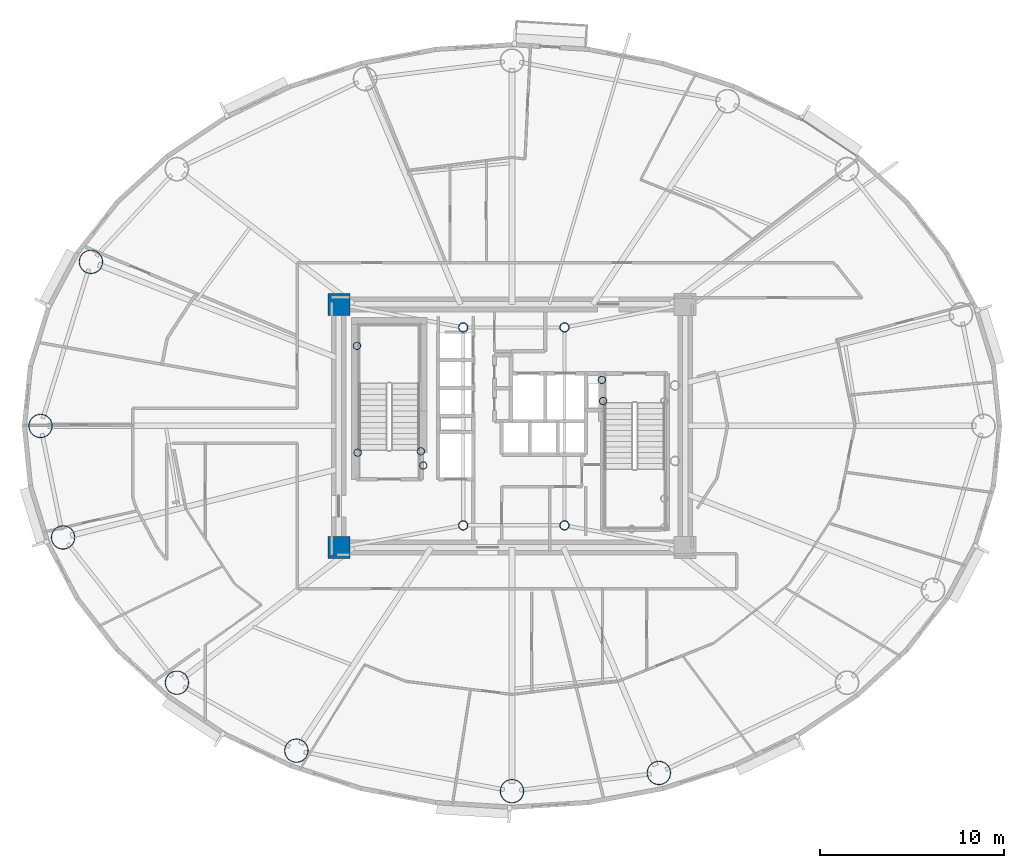
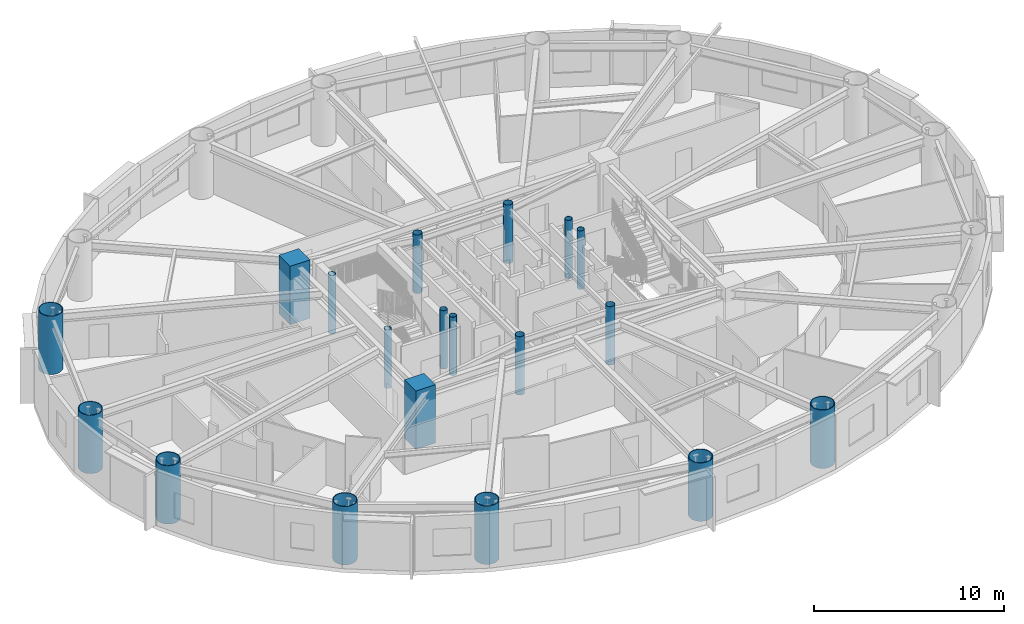
# One storey, part 1 of 18: 19 columns.
"""IFC4 building model written with IfcOpenShell, lengths in metres."""

from ifc_helpers import new_model, si_unit, direction, frame, origin, origin_2d, place, context, subcontext, project, spatial, rectangle, hollow_circle, extrude, material, material_profile, profile_set, type_object, element, save


model = new_model("IFC4")

# Units and contexts
model_context = context("Model", 3, precision=1e-05, world=origin(), true_north=direction((0.0, 1.0)))
body_context = subcontext(model_context, "Body", "Model", "MODEL_VIEW")
ifc_project = project(units=[si_unit("LENGTHUNIT", "METRE"), si_unit("AREAUNIT", "SQUARE_METRE"), si_unit("VOLUMEUNIT", "CUBIC_METRE"), si_unit("PLANEANGLEUNIT", "RADIAN"), si_unit("MASSUNIT", "GRAM", prefix="KILO")], contexts=[model_context])

# Site, building, storey
site_placement = place(None, origin())
site = spatial("IfcSite", under=ifc_project, at=site_placement, CompositionType="ELEMENT")
building_placement = place(site_placement, origin())
building = spatial("IfcBuilding", under=site, at=building_placement, Name="Linh Dai School and Residence Tower", CompositionType="ELEMENT")
storey_placement = place(building_placement, frame((0.0, 0.0, 186.14990234375)))
storey = spatial("IfcBuildingStorey", under=building, at=storey_placement, Name="L45", CompositionType="ELEMENT", Elevation=186.14990234375)

# Columns
ifc_material_1 = material(Name="Concrete B60 (C50/60)", Category="concrete")
ifc_material_profile_1 = material_profile(ifc_material_1, rectangle(XDim=1.199951171875, YDim=1.199951171875, at=origin_2d()), Name="RC 1200x1200")
ifc_profile_set_1 = profile_set([ifc_material_profile_1], Name="Concrete B60 (C50/60)")
column_type_1 = type_object("IfcColumnType", Name="COL-CC2", PredefinedType="COLUMN", material=ifc_profile_set_1)
for number, where, z_axis, x_axis, name in (
    (1, (26.60009765625, 20.39990234375, 0.0), (0.0, 0.0, 1.0), (1.0, 0.0, 0.0), "L45 Core Corner Pier CC1"),
    (2, (26.60009765625, 33.60009765625, 0.0), (0.0, 0.0, 1.0), (1.0, 0.0, 0.0), "L45 Core Corner Pier CC4"),
):
    element("IfcColumn", number, at=place(storey_placement, frame(where, z_axis=z_axis, x_axis=x_axis)), inside=storey, type_object=column_type_1, Name=name, PredefinedType="COLUMN", context=body_context, shape_type="SweptSolid", body=[
        extrude(rectangle(XDim=1.199951171875, YDim=1.199951171875, at=origin_2d()), origin(), (0.0, 0.0, 1.0), 3.75),
    ])
ifc_material_2 = material(Name="Structural Steel S355JR", Category="steel")
ifc_material_profile_2 = material_profile(ifc_material_2, hollow_circle(Radius=0.203125, WallThickness=0.01611328125, at=origin_2d()), Name="CHS 406.4x16")
ifc_profile_set_2 = profile_set([ifc_material_profile_2], Name="Structural Steel S355JR")
column_type_2 = type_object("IfcColumnType", Name="COL-EC", PredefinedType="COLUMN", material=ifc_profile_set_2)
for number, where, z_axis, x_axis, name in (
    (3, (27.580078125, 31.35009765625, 0.0), (0.0, 0.0, 1.0), (1.0, 0.0, 0.0), "L45 Stair Shaft Landing Support Pier ST1NW"),
    (4, (31.050048828125, 25.6201171875, 0.0), (0.0, 0.0, 1.0), (1.0, 0.0, 0.0), "L45 Stair Shaft Landing Support Pier ST1SE"),
    (5, (31.179931640625, 24.85009765625, 0.0), (0.0, 0.0, 1.0), (1.0, 0.0, 0.0), "L45 Stair Shaft Landing Support Pier ST1SM"),
    (6, (27.6201171875, 25.550048828125, 0.0), (0.0, 0.0, 1.0), (1.0, 0.0, 0.0), "L45 Stair Shaft Landing Support Pier ST1SW"),
    (7, (40.949951171875, 28.35009765625, 0.0), (0.0, 0.0, 1.0), (1.0, 0.0, 0.0), "L45 Stair Shaft Landing Support Pier ST2N1"),
    (8, (40.8798828125, 29.5, 0.0), (0.0, 0.0, 1.0), (1.0, 0.0, 0.0), "L45 Stair Shaft Landing Support Pier ST2N3"),
):
    element("IfcColumn", number, at=place(storey_placement, frame(where, z_axis=z_axis, x_axis=x_axis)), inside=storey, type_object=column_type_2, Name=name, PredefinedType="COLUMN", context=body_context, shape_type="SweptSolid", body=[
        extrude(hollow_circle(Radius=0.203125, WallThickness=0.01611328125, at=origin_2d()), origin(), (0.0, 0.0, 1.0), 3.75),
    ])
ifc_material_profile_3 = material_profile(ifc_material_2, hollow_circle(Radius=0.64990234375, WallThickness=0.0400390625, at=origin_2d()), Name="CHS 1300x40")
ifc_profile_set_3 = profile_set([ifc_material_profile_3], Name="Structural Steel S355JR")
column_type_3 = type_object("IfcColumnType", Name="COL-MC4", PredefinedType="COLUMN", material=ifc_profile_set_3)
for number, where, z_axis, x_axis, name in (
    (9, (13.137451171875, 35.9111328125, 0.0), (0.0, 0.0, 1.0), (1.0, 0.0, 0.0), "L45 Perimeter CFT Mega-Column MC08"),
    (10, (10.39990234375, 27.0, 0.0), (0.0, 0.0, 1.0), (1.0, 0.0, 0.0), "L45 Perimeter CFT Mega-Column MC09"),
    (11, (11.62548828125, 20.946533203125, 0.0), (0.0, 0.0, 1.0), (1.0, 0.0, 0.0), "L45 Perimeter CFT Mega-Column MC10"),
    (12, (17.8076171875, 13.058349609375, 0.0), (0.0, 0.0, 1.0), (1.0, 0.0, 0.0), "L45 Perimeter CFT Mega-Column MC11"),
    (13, (24.29443359375, 9.369140625, 0.0), (0.0, 0.0, 1.0), (1.0, 0.0, 0.0), "L45 Perimeter CFT Mega-Column MC12"),
    (14, (36.0, 7.169921875, 0.0), (0.0, 0.0, 1.0), (1.0, 0.0, 0.0), "L45 Perimeter CFT Mega-Column MC13"),
    (15, (43.973388671875, 8.15869140625, 0.0), (0.0, 0.0, 1.0), (1.0, 0.0, 0.0), "L45 Perimeter CFT Mega-Column MC14"),
):
    element("IfcColumn", number, at=place(storey_placement, frame(where, z_axis=z_axis, x_axis=x_axis)), inside=storey, type_object=column_type_3, Name=name, PredefinedType="COLUMN", context=body_context, shape_type="SweptSolid", body=[
        extrude(hollow_circle(Radius=0.64990234375, WallThickness=0.0400390625, at=origin_2d()), origin(), (0.0, 0.0, 1.0), 3.75),
    ])
ifc_material_profile_4 = material_profile(ifc_material_2, hollow_circle(Radius=0.25390625, WallThickness=0.02001953125, at=origin_2d()), Name="CHS 508x20")
ifc_profile_set_4 = profile_set([ifc_material_profile_4], Name="Structural Steel S355JR")
column_type_4 = type_object("IfcColumnType", Name="COL-MCP", PredefinedType="COLUMN", material=ifc_profile_set_4)
for number, where, z_axis, x_axis, name in (
    (16, (33.35009765625, 21.60009765625, 0.0), (0.0, 0.0, 1.0), (1.0, 0.0, 0.0), "L45 Core Mast Support Pier MCP1"),
    (17, (38.85009765625, 21.60009765625, 0.0), (0.0, 0.0, 1.0), (1.0, 0.0, 0.0), "L45 Core Mast Support Pier MCP2"),
    (18, (38.85009765625, 32.35009765625, 0.0), (0.0, 0.0, 1.0), (1.0, 0.0, 0.0), "L45 Core Mast Support Pier MCP3"),
    (19, (33.35009765625, 32.35009765625, 0.0), (0.0, 0.0, 1.0), (1.0, 0.0, 0.0), "L45 Core Mast Support Pier MCP4"),
):
    element("IfcColumn", number, at=place(storey_placement, frame(where, z_axis=z_axis, x_axis=x_axis)), inside=storey, type_object=column_type_4, Name=name, PredefinedType="COLUMN", context=body_context, shape_type="SweptSolid", body=[
        extrude(hollow_circle(Radius=0.25390625, WallThickness=0.02001953125, at=origin_2d()), origin(), (0.0, 0.0, 1.0), 3.75),
    ])

save(model, "model.ifc")
